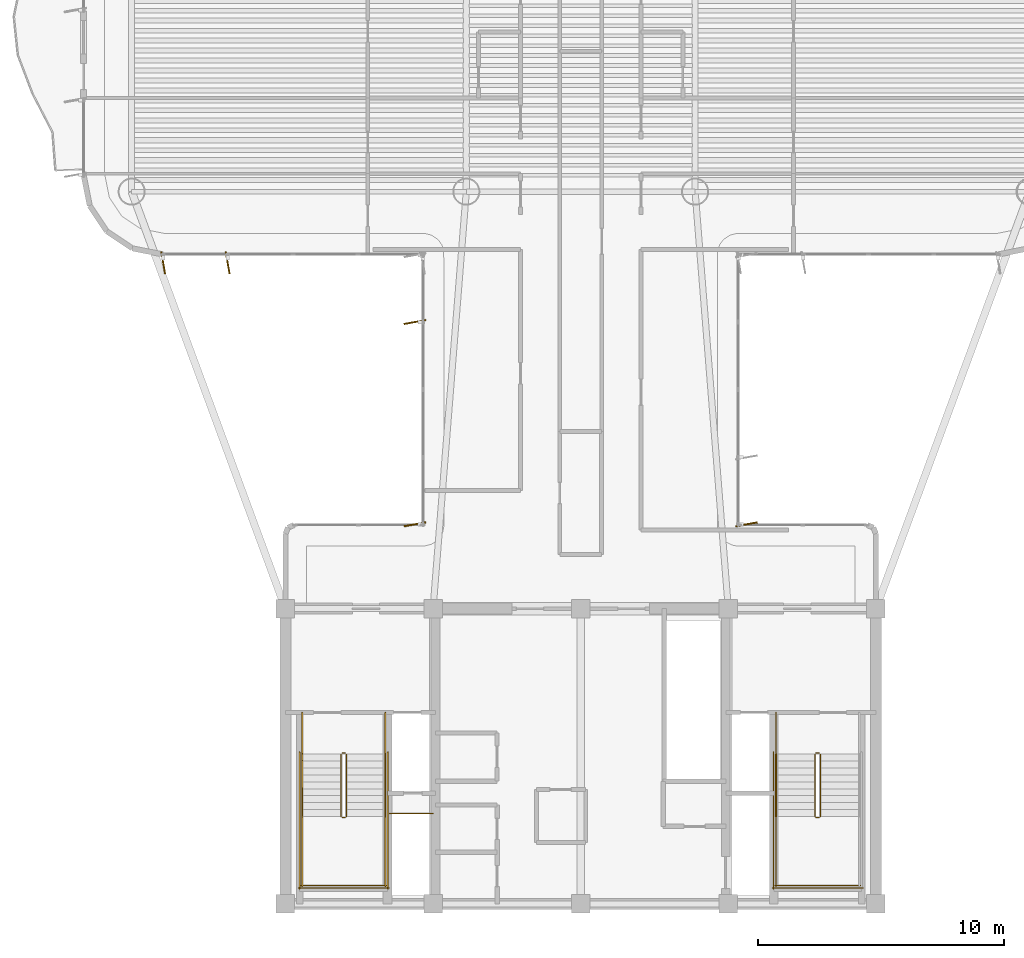
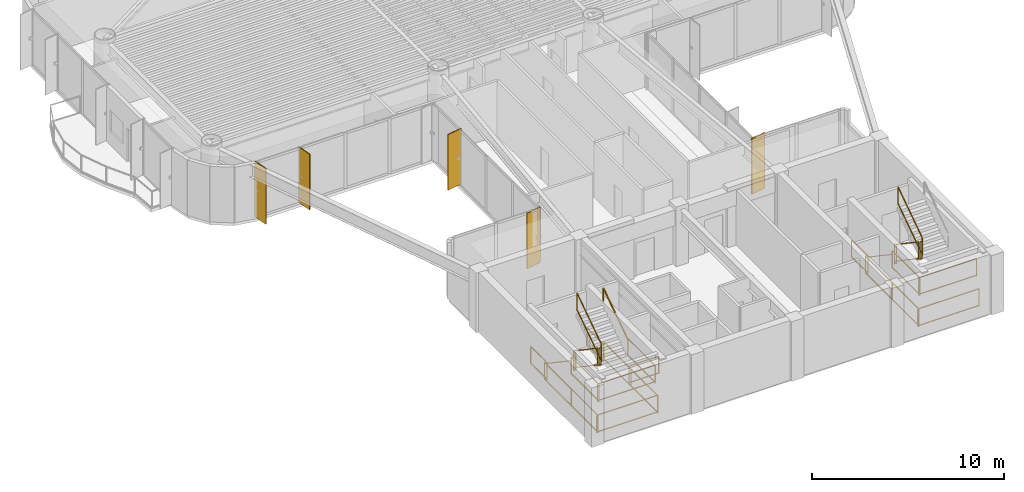
# One storey, part 14 of 15: 25 railings, 5 shading devices.
"""IFC4 building model written with IfcOpenShell, lengths in metres."""

from ifc_helpers import new_model, si_unit, direction, frame, origin, origin_2d, place, context, subcontext, project, spatial, rectangle, extrude, source, transform, mapped, material, layer, layer_set, material_profile, profile_set, type_object, element, save


model = new_model("IFC4")

# Units and contexts
model_context = context("Model", 3, precision=1e-05, world=origin(), true_north=direction((0.0, 1.0)))
body_context = subcontext(model_context, "Body", "Model", "MODEL_VIEW")
ifc_project = project(units=[si_unit("LENGTHUNIT", "METRE"), si_unit("AREAUNIT", "SQUARE_METRE"), si_unit("VOLUMEUNIT", "CUBIC_METRE"), si_unit("PLANEANGLEUNIT", "RADIAN"), si_unit("MASSUNIT", "GRAM", prefix="KILO")], contexts=[model_context])

# Site, building, storey
site_placement = place(None, origin())
site = spatial("IfcSite", under=ifc_project, at=site_placement, CompositionType="ELEMENT")
building_placement = place(site_placement, origin())
building = spatial("IfcBuilding", under=site, at=building_placement, Name="Brelvock Crest Care Tower", CompositionType="ELEMENT")
storey_placement = place(building_placement, frame((0.0, 0.0, 167.760009765625)))
storey = spatial("IfcBuildingStorey", under=building, at=storey_placement, Name="L42", CompositionType="ELEMENT", Elevation=167.760009765625)

# Railings
ifc_material_1 = material(Name="Steel Grade 350", Category="steel")
ifc_layer_1 = layer(ifc_material_1, 0.050048828125, Name="RL-STG1")
ifc_layer_set_1 = layer_set([ifc_layer_1], Name="Steel Grade 350")
railing_type_1 = type_object("IfcRailingType", Name="RL-STG1", PredefinedType="GUARDRAIL", material=ifc_layer_set_1)
railing_1_placement = place(storey_placement, frame((26.260009765625, 12.080078125, 0.18896484375)))
element("IfcRailing", 1, at=railing_1_placement, inside=storey, type_object=railing_type_1, Name="L42 ST-1 stair guard 1", PredefinedType="GUARDRAIL", context=body_context, shape_type="SweptSolid", body=[
    extrude(rectangle(XDim=0.048095703125, YDim=0.048095703125, at=origin_2d()), frame((0.0, -0.001708984375, 1.116943359375), z_axis=(0.0, -0.828861706735, 0.559453546873), x_axis=(1.0, 0.0, 0.0)), (0.0, 0.0, 1.0), 3.036376953125),
    extrude(rectangle(XDim=0.048095703125, YDim=0.048095703125, at=origin_2d()), frame((0.0, -0.001708984375, 0.05615234375), z_axis=(0.0, -0.828861706735, 0.559453546873), x_axis=(1.0, 0.0, 0.0)), (0.0, 0.0, 1.0), 3.036376953125),
    extrude(rectangle(XDim=0.0419921875, YDim=0.0419921875, at=origin_2d()), origin(), (0.0, 0.0, 1.0), 1.08984375),
    extrude(rectangle(XDim=0.0419921875, YDim=0.0419921875, at=origin_2d()), frame((0.0, -2.52001953125, 1.700927734375)), (0.0, 0.0, 1.0), 1.08984375),
])
railing_2_placement = place(storey_placement, frame((26.31005859375, 9.510009765625, 1.889892578125)))
element("IfcRailing", 2, at=railing_2_placement, inside=storey, type_object=railing_type_1, Name="L42 ST-1 stair guard 2", PredefinedType="GUARDRAIL", context=body_context, shape_type="SweptSolid", body=[
    extrude(rectangle(XDim=0.048095703125, YDim=0.048095703125, at=origin_2d()), frame((0.001953125, 0.0, 1.11572265625), z_axis=(1.0, 0.0, 0.0), x_axis=(0.0, 1.0, 0.0)), (0.0, 0.0, 1.0), 0.115966796875),
    extrude(rectangle(XDim=0.048095703125, YDim=0.048095703125, at=origin_2d()), frame((0.001953125, 0.0, 0.054931640625), z_axis=(1.0, 0.0, 0.0), x_axis=(0.0, 1.0, 0.0)), (0.0, 0.0, 1.0), 0.115966796875),
    extrude(rectangle(XDim=0.0419921875, YDim=0.0419921875, at=origin_2d()), origin(), (0.0, 0.0, 1.0), 1.08984375),
    extrude(rectangle(XDim=0.0419921875, YDim=0.0419921875, at=origin_2d()), frame((0.119873046875, 0.0, 0.0)), (0.0, 0.0, 1.0), 1.08984375),
])
for number, where, name in (
    (3, (24.679931640625, 9.56005859375, 1.889892578125), "L42 ST-1 stair guard 3"),
    (4, (28.06005859375, 9.56005859375, 1.889892578125), "L42 ST-1 stair guard 4"),
):
    element("IfcRailing", number, at=place(storey_placement, frame(where)), inside=storey, type_object=railing_type_1, Name=name, PredefinedType="GUARDRAIL", context=body_context, shape_type="SweptSolid", body=[
        extrude(rectangle(XDim=0.048095703125, YDim=0.048095703125, at=origin_2d()), frame((0.0, -0.001953125, 1.11572265625), z_axis=(0.0, -1.0, 0.0), x_axis=(1.0, 0.0, 0.0)), (0.0, 0.0, 1.0), 2.856201171875),
        extrude(rectangle(XDim=0.048095703125, YDim=0.048095703125, at=origin_2d()), frame((0.0, -0.001953125, 0.054931640625), z_axis=(0.0, -1.0, 0.0), x_axis=(1.0, 0.0, 0.0)), (0.0, 0.0, 1.0), 2.856201171875),
        extrude(rectangle(XDim=0.0419921875, YDim=0.0419921875, at=origin_2d()), origin(), (0.0, 0.0, 1.0), 1.08984375),
        extrude(rectangle(XDim=0.0419921875, YDim=0.0419921875, at=origin_2d()), frame((0.0, -2.860107421875, 0.0)), (0.0, 0.0, 1.0), 1.08984375),
    ])
railing_3_placement = place(storey_placement, frame((24.6298828125, 6.75, 1.889892578125)))
element("IfcRailing", 5, at=railing_3_placement, inside=storey, type_object=railing_type_1, Name="L42 ST-1 stair guard 5", PredefinedType="GUARDRAIL", context=body_context, shape_type="SweptSolid", body=[
    extrude(rectangle(XDim=0.048095703125, YDim=0.048095703125, at=origin_2d()), frame((0.001953125, 0.0, 1.11572265625), z_axis=(1.0, 0.0, 0.0), x_axis=(0.0, 1.0, 0.0)), (0.0, 0.0, 1.0), 3.476318359375),
    extrude(rectangle(XDim=0.048095703125, YDim=0.048095703125, at=origin_2d()), frame((0.001953125, 0.0, 0.054931640625), z_axis=(1.0, 0.0, 0.0), x_axis=(0.0, 1.0, 0.0)), (0.0, 0.0, 1.0), 3.476318359375),
    extrude(rectangle(XDim=0.0419921875, YDim=0.0419921875, at=origin_2d()), origin(), (0.0, 0.0, 1.0), 1.08984375),
    extrude(rectangle(XDim=0.0419921875, YDim=0.0419921875, at=origin_2d()), frame((3.480224609375, 0.0, 0.0)), (0.0, 0.0, 1.0), 1.08984375),
])
railing_4_placement = place(storey_placement, frame((26.47998046875, 9.56005859375, 2.0791015625)))
element("IfcRailing", 6, at=railing_4_placement, inside=storey, type_object=railing_type_1, Name="L42 ST-1 stair guard 6", PredefinedType="GUARDRAIL", context=body_context, shape_type="SweptSolid", body=[
    extrude(rectangle(XDim=0.048095703125, YDim=0.048095703125, at=origin_2d()), frame((0.0, 0.001708984375, 1.116943359375), z_axis=(0.0, 0.828861706735, 0.559453546873), x_axis=(-1.0, 0.0, 0.0)), (0.0, 0.0, 1.0), 3.036376953125),
    extrude(rectangle(XDim=0.048095703125, YDim=0.048095703125, at=origin_2d()), frame((0.0, 0.001708984375, 0.05615234375), z_axis=(0.0, 0.828861706735, 0.559453546873), x_axis=(-1.0, 0.0, 0.0)), (0.0, 0.0, 1.0), 3.036376953125),
    extrude(rectangle(XDim=0.0419921875, YDim=0.0419921875, at=origin_2d()), origin(), (0.0, 0.0, 1.0), 1.08984375),
    extrude(rectangle(XDim=0.0419921875, YDim=0.0419921875, at=origin_2d()), frame((0.0, 2.52001953125, 1.700927734375)), (0.0, 0.0, 1.0), 1.08984375),
])
railing_5_placement = place(storey_placement, frame((26.31005859375, 12.1298828125, 0.0)))
element("IfcRailing", 7, at=railing_5_placement, inside=storey, type_object=railing_type_1, Name="L42 ST-1 stair guard 7", PredefinedType="GUARDRAIL", context=body_context, shape_type="SweptSolid", body=[
    extrude(rectangle(XDim=0.048095703125, YDim=0.048095703125, at=origin_2d()), frame((0.001953125, 0.0, 1.11572265625), z_axis=(1.0, 0.0, 0.0), x_axis=(0.0, 1.0, 0.0)), (0.0, 0.0, 1.0), 0.115966796875),
    extrude(rectangle(XDim=0.048095703125, YDim=0.048095703125, at=origin_2d()), frame((0.001953125, 0.0, 0.054931640625), z_axis=(1.0, 0.0, 0.0), x_axis=(0.0, 1.0, 0.0)), (0.0, 0.0, 1.0), 0.115966796875),
    extrude(rectangle(XDim=0.0419921875, YDim=0.0419921875, at=origin_2d()), origin(), (0.0, 0.0, 1.0), 1.08984375),
    extrude(rectangle(XDim=0.0419921875, YDim=0.0419921875, at=origin_2d()), frame((0.119873046875, 0.0, 0.0)), (0.0, 0.0, 1.0), 1.08984375),
])
for number, where, name in (
    (8, (24.679931640625, 13.780029296875, 0.0), "L42 ST-1 stair guard 8"),
    (9, (28.06005859375, 13.780029296875, 0.0), "L42 ST-1 stair guard 9"),
):
    element("IfcRailing", number, at=place(storey_placement, frame(where)), inside=storey, type_object=railing_type_1, Name=name, PredefinedType="GUARDRAIL", context=body_context, shape_type="SweptSolid", body=[
        extrude(rectangle(XDim=0.048095703125, YDim=0.048095703125, at=origin_2d()), frame((0.0, -0.001953125, 1.11572265625), z_axis=(0.0, -1.0, 0.0), x_axis=(1.0, 0.0, 0.0)), (0.0, 0.0, 1.0), 1.696044921875),
        extrude(rectangle(XDim=0.048095703125, YDim=0.048095703125, at=origin_2d()), frame((0.0, -0.001953125, 0.054931640625), z_axis=(0.0, -1.0, 0.0), x_axis=(1.0, 0.0, 0.0)), (0.0, 0.0, 1.0), 1.696044921875),
        extrude(rectangle(XDim=0.0419921875, YDim=0.0419921875, at=origin_2d()), origin(), (0.0, 0.0, 1.0), 1.08984375),
        extrude(rectangle(XDim=0.0419921875, YDim=0.0419921875, at=origin_2d()), frame((0.0, -1.699951171875, 0.0)), (0.0, 0.0, 1.0), 1.08984375),
    ])
for number, where, name in (
    (10, (24.580078125, 12.179931640625, 0.0), "L42 ST-1 stair guard 10"),
    (11, (28.159912109375, 12.179931640625, 0.0), "L42 ST-1 stair guard 11"),
):
    element("IfcRailing", number, at=place(storey_placement, frame(where)), inside=storey, type_object=railing_type_1, Name=name, PredefinedType="GUARDRAIL", context=body_context, shape_type="SweptSolid", body=[
        extrude(rectangle(XDim=0.048095703125, YDim=0.048095703125, at=origin_2d()), frame((0.0, -0.001953125, 1.11572265625), z_axis=(0.0, -1.0, 0.0), x_axis=(1.0, 0.0, 0.0)), (0.0, 0.0, 1.0), 5.575927734375),
        extrude(rectangle(XDim=0.048095703125, YDim=0.048095703125, at=origin_2d()), frame((0.0, -0.001953125, 0.054931640625), z_axis=(0.0, -1.0, 0.0), x_axis=(1.0, 0.0, 0.0)), (0.0, 0.0, 1.0), 5.575927734375),
        extrude(rectangle(XDim=0.0419921875, YDim=0.0419921875, at=origin_2d()), origin(), (0.0, 0.0, 1.0), 1.08984375),
        extrude(rectangle(XDim=0.0419921875, YDim=0.0419921875, at=origin_2d()), frame((0.0, -2.7900390625, 0.0)), (0.0, 0.0, 1.0), 1.08984375),
        extrude(rectangle(XDim=0.0419921875, YDim=0.0419921875, at=origin_2d()), frame((0.0, -5.579833984375, 0.0)), (0.0, 0.0, 1.0), 1.08984375),
    ])
railing_6_placement = place(storey_placement, frame((24.530029296875, 6.64990234375, 0.0)))
element("IfcRailing", 12, at=railing_6_placement, inside=storey, type_object=railing_type_1, Name="L42 ST-1 stair guard 12", PredefinedType="GUARDRAIL", context=body_context, shape_type="SweptSolid", body=[
    extrude(rectangle(XDim=0.048095703125, YDim=0.048095703125, at=origin_2d()), frame((0.001953125, 0.0, 1.11572265625), z_axis=(1.0, 0.0, 0.0), x_axis=(0.0, 1.0, 0.0)), (0.0, 0.0, 1.0), 3.676025390625),
    extrude(rectangle(XDim=0.048095703125, YDim=0.048095703125, at=origin_2d()), frame((0.001953125, 0.0, 0.054931640625), z_axis=(1.0, 0.0, 0.0), x_axis=(0.0, 1.0, 0.0)), (0.0, 0.0, 1.0), 3.676025390625),
    extrude(rectangle(XDim=0.0419921875, YDim=0.0419921875, at=origin_2d()), origin(), (0.0, 0.0, 1.0), 1.08984375),
    extrude(rectangle(XDim=0.0419921875, YDim=0.0419921875, at=origin_2d()), frame((3.679931640625, 0.0, 0.0)), (0.0, 0.0, 1.0), 1.08984375),
])
railing_7_placement = place(storey_placement, frame((45.52001953125, 12.080078125, 0.18896484375)))
element("IfcRailing", 13, at=railing_7_placement, inside=storey, type_object=railing_type_1, Name="L42 ST-2 stair guard 1", PredefinedType="GUARDRAIL", context=body_context, shape_type="SweptSolid", body=[
    extrude(rectangle(XDim=0.048095703125, YDim=0.048095703125, at=origin_2d()), frame((0.0, -0.001708984375, 1.116943359375), z_axis=(0.0, -0.828861706735, 0.559453546873), x_axis=(1.0, 0.0, 0.0)), (0.0, 0.0, 1.0), 3.036376953125),
    extrude(rectangle(XDim=0.048095703125, YDim=0.048095703125, at=origin_2d()), frame((0.0, -0.001708984375, 0.05615234375), z_axis=(0.0, -0.828861706735, 0.559453546873), x_axis=(1.0, 0.0, 0.0)), (0.0, 0.0, 1.0), 3.036376953125),
    extrude(rectangle(XDim=0.0419921875, YDim=0.0419921875, at=origin_2d()), origin(), (0.0, 0.0, 1.0), 1.08984375),
    extrude(rectangle(XDim=0.0419921875, YDim=0.0419921875, at=origin_2d()), frame((0.0, -2.52001953125, 1.700927734375)), (0.0, 0.0, 1.0), 1.08984375),
])
railing_8_placement = place(storey_placement, frame((45.570068359375, 9.510009765625, 1.889892578125)))
element("IfcRailing", 14, at=railing_8_placement, inside=storey, type_object=railing_type_1, Name="L42 ST-2 stair guard 2", PredefinedType="GUARDRAIL", context=body_context, shape_type="SweptSolid", body=[
    extrude(rectangle(XDim=0.048095703125, YDim=0.048095703125, at=origin_2d()), frame((0.001953125, 0.0, 1.11572265625), z_axis=(1.0, 0.0, 0.0), x_axis=(0.0, 1.0, 0.0)), (0.0, 0.0, 1.0), 0.115966796875),
    extrude(rectangle(XDim=0.048095703125, YDim=0.048095703125, at=origin_2d()), frame((0.001953125, 0.0, 0.054931640625), z_axis=(1.0, 0.0, 0.0), x_axis=(0.0, 1.0, 0.0)), (0.0, 0.0, 1.0), 0.115966796875),
    extrude(rectangle(XDim=0.0419921875, YDim=0.0419921875, at=origin_2d()), origin(), (0.0, 0.0, 1.0), 1.08984375),
    extrude(rectangle(XDim=0.0419921875, YDim=0.0419921875, at=origin_2d()), frame((0.119873046875, 0.0, 0.0)), (0.0, 0.0, 1.0), 1.08984375),
])
railing_9_placement = place(storey_placement, frame((43.93994140625, 9.56005859375, 1.889892578125)))
element("IfcRailing", 15, at=railing_9_placement, inside=storey, type_object=railing_type_1, Name="L42 ST-2 stair guard 3", PredefinedType="GUARDRAIL", context=body_context, shape_type="SweptSolid", body=[
    extrude(rectangle(XDim=0.048095703125, YDim=0.048095703125, at=origin_2d()), frame((0.0, -0.001953125, 1.11572265625), z_axis=(0.0, -1.0, 0.0), x_axis=(1.0, 0.0, 0.0)), (0.0, 0.0, 1.0), 2.856201171875),
    extrude(rectangle(XDim=0.048095703125, YDim=0.048095703125, at=origin_2d()), frame((0.0, -0.001953125, 0.054931640625), z_axis=(0.0, -1.0, 0.0), x_axis=(1.0, 0.0, 0.0)), (0.0, 0.0, 1.0), 2.856201171875),
    extrude(rectangle(XDim=0.0419921875, YDim=0.0419921875, at=origin_2d()), origin(), (0.0, 0.0, 1.0), 1.08984375),
    extrude(rectangle(XDim=0.0419921875, YDim=0.0419921875, at=origin_2d()), frame((0.0, -2.860107421875, 0.0)), (0.0, 0.0, 1.0), 1.08984375),
])
railing_10_placement = place(storey_placement, frame((43.889892578125, 6.75, 1.889892578125)))
element("IfcRailing", 16, at=railing_10_placement, inside=storey, type_object=railing_type_1, Name="L42 ST-2 stair guard 5", PredefinedType="GUARDRAIL", context=body_context, shape_type="SweptSolid", body=[
    extrude(rectangle(XDim=0.048095703125, YDim=0.048095703125, at=origin_2d()), frame((0.001953125, 0.0, 1.11572265625), z_axis=(1.0, 0.0, 0.0), x_axis=(0.0, 1.0, 0.0)), (0.0, 0.0, 1.0), 3.476318359375),
    extrude(rectangle(XDim=0.048095703125, YDim=0.048095703125, at=origin_2d()), frame((0.001953125, 0.0, 0.054931640625), z_axis=(1.0, 0.0, 0.0), x_axis=(0.0, 1.0, 0.0)), (0.0, 0.0, 1.0), 3.476318359375),
    extrude(rectangle(XDim=0.0419921875, YDim=0.0419921875, at=origin_2d()), origin(), (0.0, 0.0, 1.0), 1.08984375),
    extrude(rectangle(XDim=0.0419921875, YDim=0.0419921875, at=origin_2d()), frame((3.480224609375, 0.0, 0.0)), (0.0, 0.0, 1.0), 1.08984375),
])
railing_11_placement = place(storey_placement, frame((45.739990234375, 9.56005859375, 2.0791015625)))
element("IfcRailing", 17, at=railing_11_placement, inside=storey, type_object=railing_type_1, Name="L42 ST-2 stair guard 6", PredefinedType="GUARDRAIL", context=body_context, shape_type="SweptSolid", body=[
    extrude(rectangle(XDim=0.048095703125, YDim=0.048095703125, at=origin_2d()), frame((0.0, 0.001708984375, 1.116943359375), z_axis=(0.0, 0.828861706735, 0.559453546873), x_axis=(-1.0, 0.0, 0.0)), (0.0, 0.0, 1.0), 3.036376953125),
    extrude(rectangle(XDim=0.048095703125, YDim=0.048095703125, at=origin_2d()), frame((0.0, 0.001708984375, 0.05615234375), z_axis=(0.0, 0.828861706735, 0.559453546873), x_axis=(-1.0, 0.0, 0.0)), (0.0, 0.0, 1.0), 3.036376953125),
    extrude(rectangle(XDim=0.0419921875, YDim=0.0419921875, at=origin_2d()), origin(), (0.0, 0.0, 1.0), 1.08984375),
    extrude(rectangle(XDim=0.0419921875, YDim=0.0419921875, at=origin_2d()), frame((0.0, 2.52001953125, 1.700927734375)), (0.0, 0.0, 1.0), 1.08984375),
])
railing_12_placement = place(storey_placement, frame((45.570068359375, 12.1298828125, 0.0)))
element("IfcRailing", 18, at=railing_12_placement, inside=storey, type_object=railing_type_1, Name="L42 ST-2 stair guard 7", PredefinedType="GUARDRAIL", context=body_context, shape_type="SweptSolid", body=[
    extrude(rectangle(XDim=0.048095703125, YDim=0.048095703125, at=origin_2d()), frame((0.001953125, 0.0, 1.11572265625), z_axis=(1.0, 0.0, 0.0), x_axis=(0.0, 1.0, 0.0)), (0.0, 0.0, 1.0), 0.115966796875),
    extrude(rectangle(XDim=0.048095703125, YDim=0.048095703125, at=origin_2d()), frame((0.001953125, 0.0, 0.054931640625), z_axis=(1.0, 0.0, 0.0), x_axis=(0.0, 1.0, 0.0)), (0.0, 0.0, 1.0), 0.115966796875),
    extrude(rectangle(XDim=0.0419921875, YDim=0.0419921875, at=origin_2d()), origin(), (0.0, 0.0, 1.0), 1.08984375),
    extrude(rectangle(XDim=0.0419921875, YDim=0.0419921875, at=origin_2d()), frame((0.119873046875, 0.0, 0.0)), (0.0, 0.0, 1.0), 1.08984375),
])
railing_13_placement = place(storey_placement, frame((43.93994140625, 13.780029296875, 0.0)))
element("IfcRailing", 19, at=railing_13_placement, inside=storey, type_object=railing_type_1, Name="L42 ST-2 stair guard 8", PredefinedType="GUARDRAIL", context=body_context, shape_type="SweptSolid", body=[
    extrude(rectangle(XDim=0.048095703125, YDim=0.048095703125, at=origin_2d()), frame((0.0, -0.001953125, 1.11572265625), z_axis=(0.0, -1.0, 0.0), x_axis=(1.0, 0.0, 0.0)), (0.0, 0.0, 1.0), 1.696044921875),
    extrude(rectangle(XDim=0.048095703125, YDim=0.048095703125, at=origin_2d()), frame((0.0, -0.001953125, 0.054931640625), z_axis=(0.0, -1.0, 0.0), x_axis=(1.0, 0.0, 0.0)), (0.0, 0.0, 1.0), 1.696044921875),
    extrude(rectangle(XDim=0.0419921875, YDim=0.0419921875, at=origin_2d()), origin(), (0.0, 0.0, 1.0), 1.08984375),
    extrude(rectangle(XDim=0.0419921875, YDim=0.0419921875, at=origin_2d()), frame((0.0, -1.699951171875, 0.0)), (0.0, 0.0, 1.0), 1.08984375),
])
railing_14_placement = place(storey_placement, frame((43.840087890625, 12.179931640625, 0.0)))
element("IfcRailing", 20, at=railing_14_placement, inside=storey, type_object=railing_type_1, Name="L42 ST-2 stair guard 10", PredefinedType="GUARDRAIL", context=body_context, shape_type="SweptSolid", body=[
    extrude(rectangle(XDim=0.048095703125, YDim=0.048095703125, at=origin_2d()), frame((0.0, -0.001953125, 1.11572265625), z_axis=(0.0, -1.0, 0.0), x_axis=(1.0, 0.0, 0.0)), (0.0, 0.0, 1.0), 5.575927734375),
    extrude(rectangle(XDim=0.048095703125, YDim=0.048095703125, at=origin_2d()), frame((0.0, -0.001953125, 0.054931640625), z_axis=(0.0, -1.0, 0.0), x_axis=(1.0, 0.0, 0.0)), (0.0, 0.0, 1.0), 5.575927734375),
    extrude(rectangle(XDim=0.0419921875, YDim=0.0419921875, at=origin_2d()), origin(), (0.0, 0.0, 1.0), 1.08984375),
    extrude(rectangle(XDim=0.0419921875, YDim=0.0419921875, at=origin_2d()), frame((0.0, -2.7900390625, 0.0)), (0.0, 0.0, 1.0), 1.08984375),
    extrude(rectangle(XDim=0.0419921875, YDim=0.0419921875, at=origin_2d()), frame((0.0, -5.579833984375, 0.0)), (0.0, 0.0, 1.0), 1.08984375),
])
railing_15_placement = place(storey_placement, frame((43.7900390625, 6.64990234375, 0.0)))
element("IfcRailing", 21, at=railing_15_placement, inside=storey, type_object=railing_type_1, Name="L42 ST-2 stair guard 12", PredefinedType="GUARDRAIL", context=body_context, shape_type="SweptSolid", body=[
    extrude(rectangle(XDim=0.048095703125, YDim=0.048095703125, at=origin_2d()), frame((0.001953125, 0.0, 1.11572265625), z_axis=(1.0, 0.0, 0.0), x_axis=(0.0, 1.0, 0.0)), (0.0, 0.0, 1.0), 3.676025390625),
    extrude(rectangle(XDim=0.048095703125, YDim=0.048095703125, at=origin_2d()), frame((0.001953125, 0.0, 0.054931640625), z_axis=(1.0, 0.0, 0.0), x_axis=(0.0, 1.0, 0.0)), (0.0, 0.0, 1.0), 3.676025390625),
    extrude(rectangle(XDim=0.0419921875, YDim=0.0419921875, at=origin_2d()), origin(), (0.0, 0.0, 1.0), 1.08984375),
    extrude(rectangle(XDim=0.0419921875, YDim=0.0419921875, at=origin_2d()), frame((3.679931640625, 0.0, 0.0)), (0.0, 0.0, 1.0), 1.08984375),
])
railing_16_placement = place(storey_placement, frame((28.219970703125, 9.679931640625, 0.0)))
element("IfcRailing", 22, at=railing_16_placement, inside=storey, type_object=railing_type_1, Name="L42 Fire Riser Threshold Guard", PredefinedType="GUARDRAIL", context=body_context, shape_type="SweptSolid", body=[
    extrude(rectangle(XDim=0.048095703125, YDim=0.048095703125, at=origin_2d()), frame((0.001953125, 0.0, 1.11572265625), z_axis=(1.0, 0.0, 0.0), x_axis=(0.0, 1.0, 0.0)), (0.0, 0.0, 1.0), 1.776123046875),
    extrude(rectangle(XDim=0.048095703125, YDim=0.048095703125, at=origin_2d()), frame((0.001953125, 0.0, 0.054931640625), z_axis=(1.0, 0.0, 0.0), x_axis=(0.0, 1.0, 0.0)), (0.0, 0.0, 1.0), 1.776123046875),
    extrude(rectangle(XDim=0.0419921875, YDim=0.0419921875, at=origin_2d()), origin(), (0.0, 0.0, 1.0), 1.08984375),
    extrude(rectangle(XDim=0.0419921875, YDim=0.0419921875, at=origin_2d()), frame((1.780029296875, 0.0, 0.0)), (0.0, 0.0, 1.0), 1.08984375),
])
ifc_layer_2 = layer(ifc_material_1, 0.048095703125, Name="RL-STH1")
ifc_layer_set_2 = layer_set([ifc_layer_2], Name="Steel Grade 350")
railing_type_2 = type_object("IfcRailingType", Name="RL-STH1", PredefinedType="HANDRAIL", material=ifc_layer_set_2)
railing_17_placement = place(storey_placement, frame((24.679931640625, 12.080078125, 0.18896484375)))
element("IfcRailing", 23, at=railing_17_placement, inside=storey, type_object=railing_type_2, Name="L42 ST-1 stair handrail 1", PredefinedType="HANDRAIL", context=body_context, shape_type="SweptSolid", body=[
    extrude(rectangle(XDim=0.048095703125, YDim=0.048095703125, at=origin_2d()), frame((0.0, -0.001708984375, 0.876953125), z_axis=(0.0, -0.828861706735, 0.559453546873), x_axis=(1.0, 0.0, 0.0)), (0.0, 0.0, 1.0), 3.036376953125),
    extrude(rectangle(XDim=0.0419921875, YDim=0.0419921875, at=origin_2d()), origin(), (0.0, 0.0, 1.0), 0.849853515625),
    extrude(rectangle(XDim=0.0419921875, YDim=0.0419921875, at=origin_2d()), frame((0.0, -2.52001953125, 1.700927734375)), (0.0, 0.0, 1.0), 0.849853515625),
])
railing_18_placement = place(storey_placement, frame((28.06005859375, 9.56005859375, 2.0791015625)))
element("IfcRailing", 24, at=railing_18_placement, inside=storey, type_object=railing_type_2, Name="L42 ST-1 stair handrail 2", PredefinedType="HANDRAIL", context=body_context, shape_type="SweptSolid", body=[
    extrude(rectangle(XDim=0.048095703125, YDim=0.048095703125, at=origin_2d()), frame((0.0, 0.001708984375, 0.876953125), z_axis=(0.0, 0.828861706735, 0.559453546873), x_axis=(-1.0, 0.0, 0.0)), (0.0, 0.0, 1.0), 3.036376953125),
    extrude(rectangle(XDim=0.0419921875, YDim=0.0419921875, at=origin_2d()), origin(), (0.0, 0.0, 1.0), 0.849853515625),
    extrude(rectangle(XDim=0.0419921875, YDim=0.0419921875, at=origin_2d()), frame((0.0, 2.52001953125, 1.700927734375)), (0.0, 0.0, 1.0), 0.849853515625),
])
railing_19_placement = place(storey_placement, frame((43.93994140625, 12.080078125, 0.18896484375)))
element("IfcRailing", 25, at=railing_19_placement, inside=storey, type_object=railing_type_2, Name="L42 ST-2 stair handrail 1", PredefinedType="HANDRAIL", context=body_context, shape_type="SweptSolid", body=[
    extrude(rectangle(XDim=0.048095703125, YDim=0.048095703125, at=origin_2d()), frame((0.0, -0.001708984375, 0.876953125), z_axis=(0.0, -0.828861706735, 0.559453546873), x_axis=(1.0, 0.0, 0.0)), (0.0, 0.0, 1.0), 3.036376953125),
    extrude(rectangle(XDim=0.0419921875, YDim=0.0419921875, at=origin_2d()), origin(), (0.0, 0.0, 1.0), 0.849853515625),
    extrude(rectangle(XDim=0.0419921875, YDim=0.0419921875, at=origin_2d()), frame((0.0, -2.52001953125, 1.700927734375)), (0.0, 0.0, 1.0), 0.849853515625),
])

# Shading devices
ifc_material_2 = material(Name="Aluminium 6063-T6", Category="aluminium")
ifc_material_profile = material_profile(ifc_material_2, rectangle(XDim=0.054931640625, YDim=0.89990234375, at=origin_2d()), Name="FIN55x900")
ifc_profile_set = profile_set([ifc_material_profile], Name="Aluminium 6063-T6")
shading_device_type = type_object("IfcShadingDeviceType", Name="SHD-FIN1", PredefinedType="USERDEFINED", material=ifc_profile_set)
shared_shape = source(origin(), body_context, "Body", "SweptSolid", [
    extrude(rectangle(XDim=0.054931640625, YDim=0.89990234375, at=origin_2d()), origin(), (0.0, 0.0, 1.0), 3.530029296875),
])
for number, where, z_axis, x_axis, name in (
    (26, (29.260009765625, 21.429931640625, 0.0), (0.0, 0.0, 1.0), (-0.173648177667, 0.984807753012, 0.0), "L42 Vertical Sunshade Fin E11-01"),
    (27, (29.260009765625, 29.64990234375, 0.0), (0.0, 0.0, 1.0), (-0.173648177667, 0.984807753012, 0.0), "L42 Vertical Sunshade Fin E11-04"),
    (28, (21.64990234375, 32.06005859375, 0.0), (0.0, 0.0, 1.0), (-0.984807753012, -0.173648177667, 0.0), "L42 Vertical Sunshade Fin E12-04"),
    (29, (19.030029296875, 32.06005859375, 0.0), (0.0, 0.0, 1.0), (-0.984807753012, -0.173648177667, 0.0), "L42 Vertical Sunshade Fin E12-05"),
    (30, (42.739990234375, 21.429931640625, 0.0), (0.0, 0.0, 1.0), (0.173648177667, -0.984807753012, 0.0), "L42 Vertical Sunshade Fin E45-05"),
):
    element("IfcShadingDevice", number, at=place(storey_placement, frame(where, z_axis=z_axis, x_axis=x_axis)), inside=storey, type_object=shading_device_type, Name=name, ObjectType="FIN", PredefinedType="USERDEFINED", context=body_context, shape_type="MappedRepresentation", body=[
        mapped(shared_shape, transform((0.0, 0.0, 0.0), x_axis=(1.0, 0.0, 0.0), y_axis=(0.0, 1.0, 0.0), z_axis=(0.0, 0.0, 1.0), scale=1.0)),
    ])

save(model, "model.ifc")
